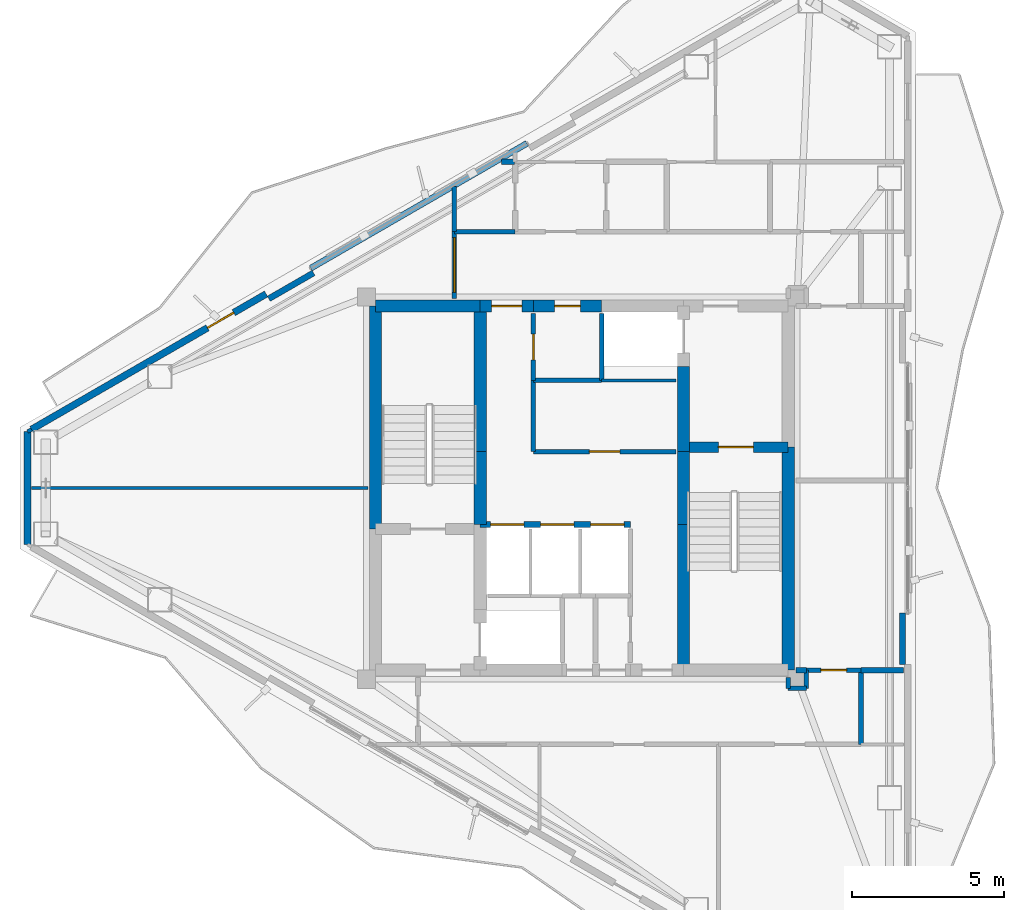
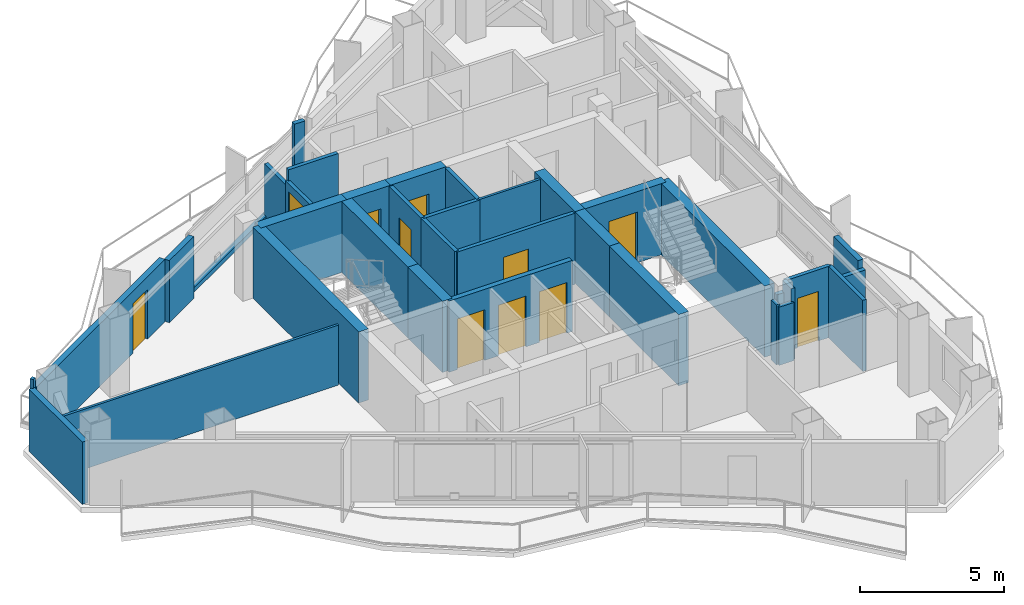
# One storey, part 15 of 18: 36 walls, 11 doors, 11 openings.
"""IFC4 building model written with IfcOpenShell, lengths in metres."""

from ifc_helpers import new_model, si_unit, direction, frame, frame_2d, origin, place, context, subcontext, project, spatial, rectangle, extrude, material, layer, layer_set, type_object, element, fill, save


model = new_model("IFC4")

# Units and contexts
model_context = context("Model", 3, precision=1e-05, world=origin(), true_north=direction((0.0, 1.0)))
body_context = subcontext(model_context, "Body", "Model", "MODEL_VIEW")
ifc_project = project(units=[si_unit("LENGTHUNIT", "METRE"), si_unit("AREAUNIT", "SQUARE_METRE"), si_unit("VOLUMEUNIT", "CUBIC_METRE"), si_unit("PLANEANGLEUNIT", "RADIAN"), si_unit("MASSUNIT", "GRAM", prefix="KILO")], contexts=[model_context])

# Site, building, storey
site_placement = place(None, origin())
site = spatial("IfcSite", under=ifc_project, at=site_placement, CompositionType="ELEMENT")
building_placement = place(site_placement, origin())
building = spatial("IfcBuilding", under=site, at=building_placement, Name="Mersakhor Tower and Convention Hall", CompositionType="ELEMENT")
storey_placement = place(building_placement, frame((0.0, 0.0, 246.300048828125)))
storey = spatial("IfcBuildingStorey", under=building, at=storey_placement, Name="L69", CompositionType="ELEMENT", Elevation=246.300048828125)

# Wall
ifc_material_1 = material(Name="Precast concrete C40/50", Category="concrete")
ifc_layer_1 = layer(ifc_material_1, 0.22509765625)
ifc_layer_set_1 = layer_set([ifc_layer_1], Name="Precast concrete C40/50")
wall_type_1 = type_object("IfcWallType", Name="WL-EXT-225", PredefinedType="SOLIDWALL", material=ifc_layer_set_1)
wall_1_placement = place(storey_placement, frame((10.73193359375, 24.892333984375, 0.0), z_axis=(0.0, 0.0, 1.0), x_axis=(0.0, 1.0, 0.0)))
element("IfcWall", 1, at=wall_1_placement, inside=storey, type_object=wall_type_1, Name="L69 Chamfer Braced Spandrel Wall C3", PredefinedType="SOLIDWALL", context=body_context, shape_type="SweptSolid", body=[
    extrude(rectangle(XDim=3.71533203125, YDim=0.22509765625, at=frame_2d((1.857666015625, 0.0))), origin(), (0.0, 0.0, 1.0), 2.639892578125),
])

# Wall, opening, door
wall_2_placement = place(storey_placement, frame((10.86181640625, 28.6826171875, 0.0), z_axis=(0.0, 0.0, 1.0), x_axis=(0.866026655105, 0.499997832642, 0.0)))
wall_2 = element("IfcWall", 2, at=wall_2_placement, inside=storey, type_object=wall_type_1, Name="L69 Exterior Facade Wall F1-B1", PredefinedType="SOLIDWALL", context=body_context, shape_type="SweptSolid", body=[
    extrude(rectangle(XDim=8.927734375, YDim=0.22509765625, at=frame_2d((4.4638671875, 0.0))), origin(), (0.0, 0.0, 1.0), 2.639892578125),
])
opening_1_placement = place(wall_2_placement, frame((6.696044921875, 0.0, 0.0)))
opening_1 = element("IfcOpeningElement", 3, at=opening_1_placement, cuts=wall_2, Name="Opening BD-01", PredefinedType="OPENING", context=body_context, shape_type="SweptSolid", body=[
    extrude(rectangle(XDim=1.0, YDim=2.10009765625, at=frame_2d((0.5, 1.050048828125))), frame((0.0, 0.12255859375, 0.0), z_axis=(0.0, -1.0, 0.0), x_axis=(1.0, 0.0, 0.0)), (0.0, 0.0, 1.0), 0.2451171875),
])
ifc_material_2 = material(Name="Thermally broken dark aluminium and safety glass", Category="aluminium")
door_type_1 = type_object("IfcDoorType", Name="DR-BAL-100x210", OperationType="NOTDEFINED", PredefinedType="DOOR", material=ifc_material_2)
door_1_placement = place(opening_1_placement, origin())
door_1 = element("IfcDoor", 4, at=door_1_placement, inside=storey, type_object=door_type_1, Name="L69 Balcony Terrace Door F1-B1", OperationType="SINGLE_SWING_LEFT", OverallHeight=2.10009765625, OverallWidth=1.0, PredefinedType="DOOR", context=body_context, shape_type="SweptSolid", body=[
    extrude(rectangle(XDim=1.0, YDim=2.10009765625, at=frame_2d((0.5, 1.050048828125))), frame((0.0, 0.02490234375, 0.0), z_axis=(0.0, -1.0, 0.0), x_axis=(1.0, 0.0, 0.0)), (0.0, 0.0, 1.0), 0.050048828125),
])
fill(opening_1, door_1)

# Walls
ifc_material_3 = material(Name="Precast concrete C40/50", Category="concrete")
ifc_layer_2 = layer(ifc_material_3, 0.199951171875)
ifc_layer_set_2 = layer_set([ifc_layer_2], Name="Precast concrete C40/50")
wall_type_2 = type_object("IfcWallType", Name="WL-PAR-200", PredefinedType="PARAPET", material=ifc_layer_set_2)
wall_3_placement = place(storey_placement, frame((20.06591796875, 33.99658203125, 0.0), z_axis=(0.0, 0.0, 1.0), x_axis=(0.866019557082, 0.500010126649, 0.0)))
element("IfcWall", 5, at=wall_3_placement, inside=storey, type_object=wall_type_2, Name="L69 Curtain Wall Upstand Sill F1-B2", PredefinedType="PARAPET", context=body_context, shape_type="SweptSolid", body=[
    extrude(rectangle(XDim=8.227783203125, YDim=0.199951171875, at=frame_2d((4.11376953125, 0.0))), origin(), (0.0, 0.0, 1.0), 0.199951171875),
])
wall_4_placement = place(storey_placement, frame((18.68359375, 32.99072265625, 0.0), z_axis=(0.0, 0.0, 1.0), x_axis=(0.866025371046, 0.500000056704, 0.0)))
element("IfcWall", 6, at=wall_4_placement, inside=storey, type_object=wall_type_2, Name="L69 Column Pier Cladding Wall F1-C1", PredefinedType="PARAPET", context=body_context, shape_type="SweptSolid", body=[
    extrude(rectangle(XDim=1.7001953125, YDim=0.199951171875, at=frame_2d((0.85009765625, 0.0))), origin(), (0.0, 0.0, 1.0), 2.639892578125),
])
wall_5_placement = place(storey_placement, frame((39.562744140625, 22.635986328125, 0.0), z_axis=(0.0, 0.0, 1.0), x_axis=(0.0, -1.0, 0.0)))
element("IfcWall", 7, at=wall_5_placement, inside=storey, type_object=wall_type_2, Name="L69 Column Pier Cladding Wall F2-C2", PredefinedType="PARAPET", context=body_context, shape_type="SweptSolid", body=[
    extrude(rectangle(XDim=1.699951171875, YDim=0.199951171875, at=frame_2d((0.85009765625, 0.0))), origin(), (0.0, 0.0, 1.0), 2.639892578125),
])
ifc_material_4 = material(Name="Moisture-resistant acoustic drywall studwork", Category="other")
ifc_layer_3 = layer(ifc_material_4, 0.175048828125)
ifc_layer_set_3 = layer_set([ifc_layer_3], Name="Moisture-resistant acoustic drywall studwork")
wall_type_3 = type_object("IfcWallType", Name="WL-PLM-175", PredefinedType="PLUMBINGWALL", material=ifc_layer_set_3)
wall_6_placement = place(storey_placement, frame((39.606201171875, 20.75, 0.0), z_axis=(0.0, 0.0, 1.0), x_axis=(-1.0, 0.0, 0.0)))
element("IfcWall", 8, at=wall_6_placement, inside=storey, type_object=wall_type_3, Name="L69 Interior Partition Wall P-042", PredefinedType="PLUMBINGWALL", context=body_context, shape_type="SweptSolid", body=[
    extrude(rectangle(XDim=1.40625, YDim=0.175048828125, at=frame_2d((0.703125, 0.0))), origin(), (0.0, 0.0, 1.0), 2.364990234375),
])
wall_7_placement = place(storey_placement, frame((36.39990234375, 20.75, 0.0), z_axis=(0.0, 0.0, 1.0), x_axis=(-1.0, 0.0, 0.0)))
element("IfcWall", 9, at=wall_7_placement, inside=storey, type_object=wall_type_3, Name="L69 Interior Partition Wall P-043", PredefinedType="PLUMBINGWALL", context=body_context, shape_type="SweptSolid", body=[
    extrude(rectangle(XDim=0.349853515625, YDim=0.175048828125, at=frame_2d((0.1748046875, 0.0))), origin(), (0.0, 0.0, 1.0), 2.544921875),
])
wall_8_placement = place(storey_placement, frame((26.356689453125, 37.5, 0.0), z_axis=(0.0, 0.0, 1.0), x_axis=(1.0, 0.0, 0.0)))
element("IfcWall", 10, at=wall_8_placement, inside=storey, type_object=wall_type_3, Name="L69 Interior Partition Wall P-045", PredefinedType="PLUMBINGWALL", context=body_context, shape_type="SweptSolid", body=[
    extrude(rectangle(XDim=0.42822265625, YDim=0.175048828125, at=frame_2d((0.214111328125, 0.0))), origin(), (0.0, 0.0, 1.0), 3.02001953125),
])
ifc_material_5 = material(Name="Lightweight gypsum partition", Category="other")
ifc_layer_4 = layer(ifc_material_5, 0.10009765625)
ifc_layer_set_4 = layer_set([ifc_layer_4], Name="Lightweight gypsum partition")
wall_type_4 = type_object("IfcWallType", Name="WL-PRT-100", PredefinedType="PARTITIONING", material=ifc_layer_set_4)
wall_9_placement = place(storey_placement, frame((32.10009765625, 30.300048828125, 0.0), z_axis=(0.0, 0.0, 1.0), x_axis=(-1.0, 0.0, 0.0)))
element("IfcWall", 11, at=wall_9_placement, inside=storey, type_object=wall_type_4, Name="L69 Interior Partition Wall P-004", PredefinedType="PARTITIONING", context=body_context, shape_type="SweptSolid", body=[
    extrude(rectangle(XDim=2.4501953125, YDim=0.10009765625, at=frame_2d((1.22509765625, 0.0))), origin(), (0.0, 0.0, 1.0), 3.02001953125),
])
wall_10_placement = place(storey_placement, frame((21.949951171875, 26.75, 0.0), z_axis=(0.0, 0.0, 1.0), x_axis=(-1.0, 0.0, 0.0)))
element("IfcWall", 12, at=wall_10_placement, inside=storey, type_object=wall_type_4, Name="L69 Interior Partition Wall P-060", PredefinedType="PARTITIONING", context=body_context, shape_type="SweptSolid", body=[
    extrude(rectangle(XDim=11.08154296875, YDim=0.10009765625, at=frame_2d((5.540771484375, 0.0))), origin(), (0.0, 0.0, 1.0), 2.544921875),
])
ifc_material_6 = material(Name="Gypsum board acoustic partition", Category="other")
ifc_layer_5 = layer(ifc_material_6, 0.125)
ifc_layer_set_5 = layer_set([ifc_layer_5], Name="Gypsum board acoustic partition")
wall_type_5 = type_object("IfcWallType", Name="WL-PRT-125", PredefinedType="PARTITIONING", material=ifc_layer_set_5)
wall_11_placement = place(storey_placement, frame((10.73193359375, 28.60791015625, 0.0), z_axis=(0.0, 0.0, 1.0), x_axis=(0.866131372301, 0.499816412211, 0.0)))
element("IfcWall", 13, at=wall_11_placement, inside=storey, type_object=wall_type_5, Name="L69 Interior Partition Wall P-061", PredefinedType="PARTITIONING", context=body_context, shape_type="SweptSolid", body=[
    extrude(rectangle(XDim=0.14990234375, YDim=0.125, at=frame_2d((0.074951171875, 0.0))), origin(), (0.0, 0.0, 1.0), 3.02001953125),
])
ifc_material_7 = material(Name="Fire-rated gypsum board stud partition", Category="other")
ifc_layer_6 = layer(ifc_material_7, 0.14990234375)
ifc_layer_set_6 = layer_set([ifc_layer_6], Name="Fire-rated gypsum board stud partition")
wall_type_6 = type_object("IfcWallType", Name="WL-PRT-150", PredefinedType="PARTITIONING", material=ifc_layer_set_6)
wall_12_placement = place(storey_placement, frame((29.64990234375, 30.300048828125, 0.0), z_axis=(0.0, 0.0, 1.0), x_axis=(0.0, 1.0, 0.0)))
element("IfcWall", 14, at=wall_12_placement, inside=storey, type_object=wall_type_6, Name="L69 Interior Partition Wall P-005", PredefinedType="PARTITIONING", context=body_context, shape_type="SweptSolid", body=[
    extrude(rectangle(XDim=2.199951171875, YDim=0.14990234375, at=frame_2d((1.10009765625, 0.0))), origin(), (0.0, 0.0, 1.0), 3.02001953125),
])

# Wall, opening, door
wall_13_placement = place(storey_placement, frame((27.39990234375, 32.5, 0.0), z_axis=(0.0, 0.0, 1.0), x_axis=(0.0, -1.0, 0.0)))
wall_13 = element("IfcWall", 15, at=wall_13_placement, inside=storey, type_object=wall_type_6, Name="L69 Interior Partition Wall P-013", PredefinedType="PARTITIONING", context=body_context, shape_type="SweptSolid", body=[
    extrude(rectangle(XDim=2.199951171875, YDim=0.14990234375, at=frame_2d((1.10009765625, 0.0))), origin(), (0.0, 0.0, 1.0), 3.02001953125),
])
opening_2_placement = place(wall_13_placement, frame((0.675048828125, 0.0, 0.0)))
opening_2 = element("IfcOpeningElement", 16, at=opening_2_placement, cuts=wall_13, Name="Opening SVD-01", PredefinedType="OPENING", context=body_context, shape_type="SweptSolid", body=[
    extrude(rectangle(XDim=0.85009765625, YDim=2.10009765625, at=frame_2d((0.425048828125, 1.050048828125))), frame((0.0, 0.0849609375, 0.0), z_axis=(0.0, -1.0, 0.0), x_axis=(1.0, 0.0, 0.0)), (0.0, 0.0, 1.0), 0.169921875),
])
ifc_material_8 = material(Name="Fire-rated hardwood leaf and painted steel frame", Category="steel")
door_type_2 = type_object("IfcDoorType", Name="DR-INT-SVC-085x210", OperationType="NOTDEFINED", PredefinedType="DOOR", material=ifc_material_8)
door_2_placement = place(opening_2_placement, origin())
door_2 = element("IfcDoor", 17, at=door_2_placement, inside=storey, type_object=door_type_2, Name="L69 Central Passenger Lift Lobby to High-Zone Telecoms Room Door", OperationType="SINGLE_SWING_LEFT", OverallHeight=2.10009765625, OverallWidth=0.85009765625, PredefinedType="DOOR", context=body_context, shape_type="SweptSolid", body=[
    extrude(rectangle(XDim=0.85009765625, YDim=2.10009765625, at=frame_2d((0.425048828125, 1.050048828125))), frame((0.0, 0.02490234375, 0.0), z_axis=(0.0, -1.0, 0.0), x_axis=(1.0, 0.0, 0.0)), (0.0, 0.0, 1.0), 0.050048828125),
])
fill(opening_2, door_2)

# Wall
wall_14_placement = place(storey_placement, frame((27.39990234375, 30.300048828125, 0.0), z_axis=(0.0, 0.0, 1.0), x_axis=(0.0, -1.0, 0.0)))
element("IfcWall", 18, at=wall_14_placement, inside=storey, type_object=wall_type_6, Name="L69 Interior Partition Wall P-014", PredefinedType="PARTITIONING", context=body_context, shape_type="SweptSolid", body=[
    extrude(rectangle(XDim=2.35009765625, YDim=0.14990234375, at=frame_2d((1.175048828125, 0.0))), origin(), (0.0, 0.0, 1.0), 3.02001953125),
])

# Wall, opening, door
wall_15_placement = place(storey_placement, frame((27.39990234375, 27.949951171875, 0.0), z_axis=(0.0, 0.0, 1.0), x_axis=(1.0, 0.0, 0.0)))
wall_15 = element("IfcWall", 19, at=wall_15_placement, inside=storey, type_object=wall_type_6, Name="L69 Interior Partition Wall P-015", PredefinedType="PARTITIONING", context=body_context, shape_type="SweptSolid", body=[
    extrude(rectangle(XDim=4.7001953125, YDim=0.14990234375, at=frame_2d((2.35009765625, 0.0))), origin(), (0.0, 0.0, 1.0), 3.02001953125),
])
opening_3_placement = place(wall_15_placement, frame((1.85009765625, 0.0, 0.0)))
opening_3 = element("IfcOpeningElement", 20, at=opening_3_placement, cuts=wall_15, Name="Opening FD-01", PredefinedType="OPENING", context=body_context, shape_type="SweptSolid", body=[
    extrude(rectangle(XDim=1.0, YDim=2.14990234375, at=frame_2d((0.5, 1.074951171875))), frame((0.0, 0.0849609375, 0.0), z_axis=(0.0, -1.0, 0.0), x_axis=(1.0, 0.0, 0.0)), (0.0, 0.0, 1.0), 0.169921875),
])
ifc_material_9 = material(Name="Fire-rated hardwood leaf and painted steel frame", Category="steel")
door_type_3 = type_object("IfcDoorType", Name="DR-INT-FLT-100x215", OperationType="NOTDEFINED", PredefinedType="DOOR", material=ifc_material_9)
door_3_placement = place(opening_3_placement, origin())
door_3 = element("IfcDoor", 21, at=door_3_placement, inside=storey, type_object=door_type_3, Name="L69 Central Passenger Lift Lobby to Shared Floor Tea Pantry Door", OperationType="SINGLE_SWING_RIGHT", OverallHeight=2.14990234375, OverallWidth=1.0, PredefinedType="DOOR", context=body_context, shape_type="SweptSolid", body=[
    extrude(rectangle(XDim=1.0, YDim=2.14990234375, at=frame_2d((0.5, 1.074951171875))), frame((0.0, 0.02490234375, 0.0), z_axis=(0.0, -1.0, 0.0), x_axis=(1.0, 0.0, 0.0)), (0.0, 0.0, 1.0), 0.050048828125),
])
fill(opening_3, door_3)

# Wall
wall_16_placement = place(storey_placement, frame((24.800048828125, 35.199951171875, 0.0), z_axis=(0.0, 0.0, 1.0), x_axis=(1.0, 0.0, 0.0)))
element("IfcWall", 22, at=wall_16_placement, inside=storey, type_object=wall_type_6, Name="L69 Interior Partition Wall P-016", PredefinedType="PARTITIONING", context=body_context, shape_type="SweptSolid", body=[
    extrude(rectangle(XDim=2.0, YDim=0.14990234375, at=frame_2d((1.0, 0.0))), origin(), (0.0, 0.0, 1.0), 3.02001953125),
])

# Wall, opening, door
wall_17_placement = place(storey_placement, frame((24.800048828125, 33.0, 0.0), z_axis=(0.0, 0.0, 1.0), x_axis=(0.0, 1.0, 0.0)))
wall_17 = element("IfcWall", 23, at=wall_17_placement, inside=storey, type_object=wall_type_6, Name="L69 Interior Partition Wall P-026", PredefinedType="PARTITIONING", context=body_context, shape_type="SweptSolid", body=[
    extrude(rectangle(XDim=2.199951171875, YDim=0.14990234375, at=frame_2d((1.10009765625, 0.0))), origin(), (0.0, 0.0, 1.0), 2.544921875),
])
opening_4_placement = place(wall_17_placement, frame((0.199951171875, 0.0, 0.0)))
opening_4 = element("IfcOpeningElement", 24, at=opening_4_placement, cuts=wall_17, Name="Opening HD-01", PredefinedType="OPENING", context=body_context, shape_type="SweptSolid", body=[
    extrude(rectangle(XDim=1.800048828125, YDim=2.199951171875, at=frame_2d((0.89990234375, 1.10009765625))), frame((0.0, 0.0849609375, 0.0), z_axis=(0.0, -1.0, 0.0), x_axis=(1.0, 0.0, 0.0)), (0.0, 0.0, 1.0), 0.169921875),
])
ifc_material_10 = material(Name="Fire-rated hardwood leaf and painted steel frame", Category="steel")
door_type_4 = type_object("IfcDoorType", Name="DR-INT-HALL-180x220", OperationType="NOTDEFINED", PredefinedType="DOOR", material=ifc_material_10)
door_4_placement = place(opening_4_placement, origin())
door_4 = element("IfcDoor", 25, at=door_4_placement, inside=storey, type_object=door_type_4, Name="L69 Residential North Gallery Corridor to L69 West Crown Residents Meeting Room Door", OperationType="DOUBLE_DOOR_SINGLE_SWING", OverallHeight=2.199951171875, OverallWidth=1.800048828125, PredefinedType="DOOR", context=body_context, shape_type="SweptSolid", body=[
    extrude(rectangle(XDim=1.800048828125, YDim=2.199951171875, at=frame_2d((0.89990234375, 1.10009765625))), frame((0.0, 0.02490234375, 0.0), z_axis=(0.0, -1.0, 0.0), x_axis=(1.0, 0.0, 0.0)), (0.0, 0.0, 1.0), 0.050048828125),
])
fill(opening_4, door_4)

# Walls
wall_18_placement = place(storey_placement, frame((35.800048828125, 20.14990234375, 0.0), z_axis=(0.0, 0.0, 1.0), x_axis=(1.0, 0.0, 0.0)))
element("IfcWall", 26, at=wall_18_placement, inside=storey, type_object=wall_type_6, Name="L69 Interior Partition Wall P-027", PredefinedType="PARTITIONING", context=body_context, shape_type="SweptSolid", body=[
    extrude(rectangle(XDim=0.599853515625, YDim=0.14990234375, at=frame_2d((0.2998046875, 0.0))), origin(), (0.0, 0.0, 1.0), 2.46826171875),
])
wall_19_placement = place(storey_placement, frame((36.39990234375, 20.14990234375, 0.0), z_axis=(0.0, 0.0, 1.0), x_axis=(0.0, 1.0, 0.0)))
element("IfcWall", 27, at=wall_19_placement, inside=storey, type_object=wall_type_6, Name="L69 Interior Partition Wall P-028", PredefinedType="PARTITIONING", context=body_context, shape_type="SweptSolid", body=[
    extrude(rectangle(XDim=0.60009765625, YDim=0.14990234375, at=frame_2d((0.300048828125, 0.0))), origin(), (0.0, 0.0, 1.0), 3.02001953125),
])

# Wall, opening, door
wall_20_placement = place(storey_placement, frame((36.39990234375, 20.75, 0.0), z_axis=(0.0, 0.0, 1.0), x_axis=(1.0, 0.0, 0.0)))
wall_20 = element("IfcWall", 28, at=wall_20_placement, inside=storey, type_object=wall_type_6, Name="L69 Interior Partition Wall P-029", PredefinedType="PARTITIONING", context=body_context, shape_type="SweptSolid", body=[
    extrude(rectangle(XDim=1.800048828125, YDim=0.14990234375, at=frame_2d((0.89990234375, 0.0))), origin(), (0.0, 0.0, 1.0), 3.02001953125),
])
opening_5_placement = place(wall_20_placement, frame((0.47509765625, 0.0, 0.0)))
opening_5 = element("IfcOpeningElement", 29, at=opening_5_placement, cuts=wall_20, Name="Opening SVD-01", PredefinedType="OPENING", context=body_context, shape_type="SweptSolid", body=[
    extrude(rectangle(XDim=0.85009765625, YDim=2.10009765625, at=frame_2d((0.425048828125, 1.050048828125))), frame((0.0, 0.0849609375, 0.0), z_axis=(0.0, -1.0, 0.0), x_axis=(1.0, 0.0, 0.0)), (0.0, 0.0, 1.0), 0.169921875),
])
door_5_placement = place(opening_5_placement, origin())
door_5 = element("IfcDoor", 30, at=door_5_placement, inside=storey, type_object=door_type_2, Name="L69 Residential South Gallery Corridor to L69 East Crown Accessible Toilet WC Door", OperationType="SINGLE_SWING_RIGHT", OverallHeight=2.10009765625, OverallWidth=0.85009765625, PredefinedType="DOOR", context=body_context, shape_type="SweptSolid", body=[
    extrude(rectangle(XDim=0.85009765625, YDim=2.10009765625, at=frame_2d((0.425048828125, 1.050048828125))), frame((0.0, 0.02490234375, 0.0), z_axis=(0.0, -1.0, 0.0), x_axis=(1.0, 0.0, 0.0)), (0.0, 0.0, 1.0), 0.050048828125),
])
fill(opening_5, door_5)

# Walls
wall_21_placement = place(storey_placement, frame((38.199951171875, 20.75, 0.0), z_axis=(0.0, 0.0, 1.0), x_axis=(0.0, -1.0, 0.0)))
element("IfcWall", 31, at=wall_21_placement, inside=storey, type_object=wall_type_6, Name="L69 Interior Partition Wall P-030", PredefinedType="PARTITIONING", context=body_context, shape_type="SweptSolid", body=[
    extrude(rectangle(XDim=2.449951171875, YDim=0.14990234375, at=frame_2d((1.22509765625, 0.0))), origin(), (0.0, 0.0, 1.0), 3.02001953125),
])
wall_22_placement = place(storey_placement, frame((35.800048828125, 20.5, 0.0), z_axis=(0.0, 0.0, 1.0), x_axis=(0.0, -1.0, 0.0)))
element("IfcWall", 32, at=wall_22_placement, inside=storey, type_object=wall_type_6, Name="L69 Interior Partition Wall P-035", PredefinedType="PARTITIONING", context=body_context, shape_type="SweptSolid", body=[
    extrude(rectangle(XDim=0.35009765625, YDim=0.14990234375, at=frame_2d((0.175048828125, 0.0))), origin(), (0.0, 0.0, 1.0), 2.544921875),
])
wall_23_placement = place(storey_placement, frame((24.800048828125, 35.199951171875, 0.0), z_axis=(0.0, 0.0, 1.0), x_axis=(0.0, 1.0, 0.0)))
element("IfcWall", 33, at=wall_23_placement, inside=storey, type_object=wall_type_6, Name="L69 Interior Partition Wall P-044", PredefinedType="PARTITIONING", context=body_context, shape_type="SweptSolid", body=[
    extrude(rectangle(XDim=1.483642578125, YDim=0.14990234375, at=frame_2d((0.74169921875, 0.0))), origin(), (0.0, 0.0, 1.0), 2.364990234375),
])
wall_24_placement = place(storey_placement, frame((27.39990234375, 30.300048828125, 0.0), z_axis=(0.0, 0.0, 1.0), x_axis=(1.0, 0.0, 0.0)))
element("IfcWall", 34, at=wall_24_placement, inside=storey, type_object=wall_type_6, Name="L69 Interior Partition Wall P-051", PredefinedType="PARTITIONING", context=body_context, shape_type="SweptSolid", body=[
    extrude(rectangle(XDim=2.25, YDim=0.14990234375, at=frame_2d((1.125, 0.0))), origin(), (0.0, 0.0, 1.0), 3.02001953125),
])

# Wall, openings, doors
ifc_material_11 = material(Name="Acoustic concrete blockwork and gypsum board", Category="masonry")
ifc_layer_7 = layer(ifc_material_11, 0.199951171875)
ifc_layer_set_7 = layer_set([ifc_layer_7], Name="Acoustic concrete blockwork and gypsum board")
wall_type_7 = type_object("IfcWallType", Name="WL-PRT-200", PredefinedType="PARTITIONING", material=ifc_layer_set_7)
wall_25_placement = place(storey_placement, frame((25.64990234375, 25.550048828125, 0.0), z_axis=(0.0, 0.0, 1.0), x_axis=(1.0, 0.0, 0.0)))
wall_25 = element("IfcWall", 35, at=wall_25_placement, inside=storey, type_object=wall_type_7, Name="L69 High-Rise Lift Bank Front Wall", PredefinedType="PARTITIONING", context=body_context, shape_type="SweptSolid", body=[
    extrude(rectangle(XDim=4.9501953125, YDim=0.199951171875, at=frame_2d((2.47509765625, 0.0))), origin(), (0.0, 0.0, 1.0), 3.02001953125),
])
opening_6_placement = place(wall_25_placement, frame((0.340087890625, 0.0, 0.0)))
opening_6 = element("IfcOpeningElement", 36, at=opening_6_placement, cuts=wall_25, Name="Opening LD-P4", PredefinedType="OPENING", context=body_context, shape_type="SweptSolid", body=[
    extrude(rectangle(XDim=1.10009765625, YDim=2.14990234375, at=frame_2d((0.550048828125, 1.074951171875))), frame((0.0, 0.10986328125, 0.0), z_axis=(0.0, -1.0, 0.0), x_axis=(1.0, 0.0, 0.0)), (0.0, 0.0, 1.0), 0.219970703125),
])
opening_7_placement = place(wall_25_placement, frame((1.989990234375, 0.0, 0.0)))
opening_7 = element("IfcOpeningElement", 37, at=opening_7_placement, cuts=wall_25, Name="Opening LD-P5", PredefinedType="OPENING", context=body_context, shape_type="SweptSolid", body=[
    extrude(rectangle(XDim=1.10009765625, YDim=2.14990234375, at=frame_2d((0.550048828125, 1.074951171875))), frame((0.0, 0.10986328125, 0.0), z_axis=(0.0, -1.0, 0.0), x_axis=(1.0, 0.0, 0.0)), (0.0, 0.0, 1.0), 0.219970703125),
])
opening_8_placement = place(wall_25_placement, frame((3.639892578125, 0.0, 0.0)))
opening_8 = element("IfcOpeningElement", 38, at=opening_8_placement, cuts=wall_25, Name="Opening LD-P6", PredefinedType="OPENING", context=body_context, shape_type="SweptSolid", body=[
    extrude(rectangle(XDim=1.10009765625, YDim=2.14990234375, at=frame_2d((0.550048828125, 1.074951171875))), frame((0.0, 0.10986328125, 0.0), z_axis=(0.0, -1.0, 0.0), x_axis=(1.0, 0.0, 0.0)), (0.0, 0.0, 1.0), 0.219970703125),
])
ifc_material_12 = material(Name="Fire-rated brushed stainless steel sliding landing door", Category="steel")
door_type_5 = type_object("IfcDoorType", Name="DR-LIFT-SLD-110x215", OperationType="NOTDEFINED", PredefinedType="DOOR", material=ifc_material_12)
door_6_placement = place(opening_6_placement, origin())
door_6 = element("IfcDoor", 39, at=door_6_placement, inside=storey, type_object=door_type_5, Name="L69 Lift Landing Door LD-P4", OperationType="SLIDING_TO_LEFT", OverallHeight=2.14990234375, OverallWidth=1.10009765625, PredefinedType="DOOR", context=body_context, shape_type="SweptSolid", body=[
    extrude(rectangle(XDim=1.10009765625, YDim=2.14990234375, at=frame_2d((0.550048828125, 1.074951171875))), frame((0.0, 0.02490234375, 0.0), z_axis=(0.0, -1.0, 0.0), x_axis=(1.0, 0.0, 0.0)), (0.0, 0.0, 1.0), 0.050048828125),
])
fill(opening_6, door_6)
door_7_placement = place(opening_7_placement, origin())
door_7 = element("IfcDoor", 40, at=door_7_placement, inside=storey, type_object=door_type_5, Name="L69 Lift Landing Door LD-P5", OperationType="SLIDING_TO_LEFT", OverallHeight=2.14990234375, OverallWidth=1.10009765625, PredefinedType="DOOR", context=body_context, shape_type="SweptSolid", body=[
    extrude(rectangle(XDim=1.10009765625, YDim=2.14990234375, at=frame_2d((0.550048828125, 1.074951171875))), frame((0.0, 0.02490234375, 0.0), z_axis=(0.0, -1.0, 0.0), x_axis=(1.0, 0.0, 0.0)), (0.0, 0.0, 1.0), 0.050048828125),
])
fill(opening_7, door_7)
door_8_placement = place(opening_8_placement, origin())
door_8 = element("IfcDoor", 41, at=door_8_placement, inside=storey, type_object=door_type_5, Name="L69 Lift Landing Door LD-P6", OperationType="SLIDING_TO_LEFT", OverallHeight=2.14990234375, OverallWidth=1.10009765625, PredefinedType="DOOR", context=body_context, shape_type="SweptSolid", body=[
    extrude(rectangle(XDim=1.10009765625, YDim=2.14990234375, at=frame_2d((0.550048828125, 1.074951171875))), frame((0.0, 0.02490234375, 0.0), z_axis=(0.0, -1.0, 0.0), x_axis=(1.0, 0.0, 0.0)), (0.0, 0.0, 1.0), 0.050048828125),
])
fill(opening_8, door_8)

# Wall, opening, door
ifc_material_13 = material(Name="Concrete C50/60", Category="concrete")
ifc_layer_8 = layer(ifc_material_13, 0.35009765625)
ifc_layer_set_8 = layer_set([ifc_layer_8], Name="Concrete C50/60")
wall_type_8 = type_object("IfcWallType", Name="WL-SHR-350", PredefinedType="SHEAR", material=ifc_layer_set_8)
wall_26_placement = place(storey_placement, frame((32.35009765625, 28.10009765625, 0.0), z_axis=(0.0, 0.0, 1.0), x_axis=(1.0, 0.0, 0.0)))
wall_26 = element("IfcWall", 42, at=wall_26_placement, inside=storey, type_object=wall_type_8, Name="L69 Core Wall CS-ST2-N", PredefinedType="SHEAR", context=body_context, shape_type="SweptSolid", body=[
    extrude(rectangle(XDim=3.449951171875, YDim=0.35009765625, at=frame_2d((1.72509765625, 0.0))), origin(), (0.0, 0.0, 1.0), 3.02001953125),
])
opening_9_placement = place(wall_26_placement, frame((1.14990234375, 0.0, 0.0)))
opening_9 = element("IfcOpeningElement", 43, at=opening_9_placement, cuts=wall_26, Name="Opening SD-01", PredefinedType="OPENING", context=body_context, shape_type="SweptSolid", body=[
    extrude(rectangle(XDim=1.14990234375, YDim=2.14990234375, at=frame_2d((0.574951171875, 1.074951171875))), frame((0.0, 0.18505859375, 0.0), z_axis=(0.0, -1.0, 0.0), x_axis=(1.0, 0.0, 0.0)), (0.0, 0.0, 1.0), 0.3701171875),
])
ifc_material_14 = material(Name="Fire-rated hardwood leaf and painted steel frame", Category="steel")
door_type_6 = type_object("IfcDoorType", Name="DR-INT-STAIR-115x215", OperationType="NOTDEFINED", PredefinedType="DOOR", material=ifc_material_14)
door_9_placement = place(opening_9_placement, origin())
door_9 = element("IfcDoor", 44, at=door_9_placement, inside=storey, type_object=door_type_6, Name="L69 Exit Stair ST-2 Enclosure Door", OperationType="SINGLE_SWING_RIGHT", OverallHeight=2.14990234375, OverallWidth=1.14990234375, PredefinedType="DOOR", context=body_context, shape_type="SweptSolid", body=[
    extrude(rectangle(XDim=1.14990234375, YDim=2.14990234375, at=frame_2d((0.574951171875, 1.074951171875))), frame((0.0, 0.02490234375, 0.0), z_axis=(0.0, -1.0, 0.0), x_axis=(1.0, 0.0, 0.0)), (0.0, 0.0, 1.0), 0.050048828125),
])
fill(opening_9, door_9)

# Walls
ifc_material_15 = material(Name="Concrete C60/75", Category="concrete")
ifc_layer_9 = layer(ifc_material_15, 0.39990234375)
ifc_layer_set_9 = layer_set([ifc_layer_9], Name="Concrete C60/75")
wall_type_9 = type_object("IfcWallType", Name="WL-SHR-400", PredefinedType="SHEAR", material=ifc_layer_set_9)
wall_27_placement = place(storey_placement, frame((22.199951171875, 25.39990234375, 0.0), z_axis=(0.0, 0.0, 1.0), x_axis=(0.0, 1.0, 0.0)))
element("IfcWall", 45, at=wall_27_placement, inside=storey, type_object=wall_type_9, Name="L69 Core Wall CW-W2", PredefinedType="SHEAR", context=body_context, shape_type="SweptSolid", body=[
    extrude(rectangle(XDim=7.35009765625, YDim=0.39990234375, at=frame_2d((3.675048828125, 0.0))), origin(), (0.0, 0.0, 1.0), 3.02001953125),
])
wall_28_placement = place(storey_placement, frame((22.199951171875, 32.75, 0.0), z_axis=(0.0, 0.0, 1.0), x_axis=(1.0, 0.0, 0.0)))
element("IfcWall", 46, at=wall_28_placement, inside=storey, type_object=wall_type_9, Name="L69 Core Wall CW-N1", PredefinedType="SHEAR", context=body_context, shape_type="SweptSolid", body=[
    extrude(rectangle(XDim=3.449951171875, YDim=0.39990234375, at=frame_2d((1.72509765625, 0.0))), origin(), (0.0, 0.0, 1.0), 3.02001953125),
])

# Wall, opening, door
wall_29_placement = place(storey_placement, frame((25.64990234375, 32.75, 0.0), z_axis=(0.0, 0.0, 1.0), x_axis=(1.0, 0.0, 0.0)))
wall_29 = element("IfcWall", 47, at=wall_29_placement, inside=storey, type_object=wall_type_9, Name="L69 Core Wall CW-N2A", PredefinedType="SHEAR", context=body_context, shape_type="SweptSolid", body=[
    extrude(rectangle(XDim=1.75, YDim=0.39990234375, at=frame_2d((0.875, 0.0))), origin(), (0.0, 0.0, 1.0), 3.02001953125),
])
opening_10_placement = place(wall_29_placement, frame((0.375, 0.0, 0.0)))
opening_10 = element("IfcOpeningElement", 48, at=opening_10_placement, cuts=wall_29, Name="Opening CFD-01", PredefinedType="OPENING", context=body_context, shape_type="SweptSolid", body=[
    extrude(rectangle(XDim=1.0, YDim=2.14990234375, at=frame_2d((0.5, 1.074951171875))), frame((0.0, 0.2099609375, 0.0), z_axis=(0.0, -1.0, 0.0), x_axis=(1.0, 0.0, 0.0)), (0.0, 0.0, 1.0), 0.419921875),
])
ifc_material_16 = material(Name="Fire-rated hardwood leaf and painted steel frame", Category="steel")
door_type_7 = type_object("IfcDoorType", Name="DR-CORE-FD-100x215", OperationType="NOTDEFINED", PredefinedType="DOOR", material=ifc_material_16)
door_10_placement = place(opening_10_placement, origin())
door_10 = element("IfcDoor", 49, at=door_10_placement, inside=storey, type_object=door_type_7, Name="L69 Lift Lobby North Corridor Door", OperationType="SINGLE_SWING_LEFT", OverallHeight=2.14990234375, OverallWidth=1.0, PredefinedType="DOOR", context=body_context, shape_type="SweptSolid", body=[
    extrude(rectangle(XDim=1.0, YDim=2.14990234375, at=frame_2d((0.5, 1.074951171875))), frame((0.0, 0.02490234375, 0.0), z_axis=(0.0, -1.0, 0.0), x_axis=(1.0, 0.0, 0.0)), (0.0, 0.0, 1.0), 0.050048828125),
])
fill(opening_10, door_10)

wall_30_placement = place(storey_placement, frame((27.39990234375, 32.75, 0.0), z_axis=(0.0, 0.0, 1.0), x_axis=(1.0, 0.0, 0.0)))
wall_30 = element("IfcWall", 50, at=wall_30_placement, inside=storey, type_object=wall_type_9, Name="L69 Core Wall CW-N2B", PredefinedType="SHEAR", context=body_context, shape_type="SweptSolid", body=[
    extrude(rectangle(XDim=2.25, YDim=0.39990234375, at=frame_2d((1.125, 0.0))), origin(), (0.0, 0.0, 1.0), 3.02001953125),
])
opening_11_placement = place(wall_30_placement, frame((0.699951171875, 0.0, 0.0)))
opening_11 = element("IfcOpeningElement", 51, at=opening_11_placement, cuts=wall_30, Name="Opening SVD-01", PredefinedType="OPENING", context=body_context, shape_type="SweptSolid", body=[
    extrude(rectangle(XDim=0.85009765625, YDim=2.10009765625, at=frame_2d((0.425048828125, 1.050048828125))), frame((0.0, 0.2099609375, 0.0), z_axis=(0.0, -1.0, 0.0), x_axis=(1.0, 0.0, 0.0)), (0.0, 0.0, 1.0), 0.419921875),
])
door_11_placement = place(opening_11_placement, origin())
door_11 = element("IfcDoor", 52, at=door_11_placement, inside=storey, type_object=door_type_2, Name="L69 Residential North Gallery Corridor to High-Zone Telecoms Room Door", OperationType="SINGLE_SWING_LEFT", OverallHeight=2.10009765625, OverallWidth=0.85009765625, PredefinedType="DOOR", context=body_context, shape_type="SweptSolid", body=[
    extrude(rectangle(XDim=0.85009765625, YDim=2.10009765625, at=frame_2d((0.425048828125, 1.050048828125))), frame((0.0, 0.02490234375, 0.0), z_axis=(0.0, -1.0, 0.0), x_axis=(1.0, 0.0, 0.0)), (0.0, 0.0, 1.0), 0.050048828125),
])
fill(opening_11, door_11)

# Walls
wall_31_placement = place(storey_placement, frame((35.800048828125, 28.10009765625, 0.0), z_axis=(0.0, 0.0, 1.0), x_axis=(0.0, -1.0, 0.0)))
element("IfcWall", 53, at=wall_31_placement, inside=storey, type_object=wall_type_9, Name="L69 Core Wall CW-E2", PredefinedType="SHEAR", context=body_context, shape_type="SweptSolid", body=[
    extrude(rectangle(XDim=7.35009765625, YDim=0.39990234375, at=frame_2d((3.675048828125, 0.0))), origin(), (0.0, 0.0, 1.0), 3.02001953125),
])
wall_32_placement = place(storey_placement, frame((25.64990234375, 25.550048828125, 0.0), z_axis=(0.0, 0.0, 1.0), x_axis=(0.0, 1.0, 0.0)))
element("IfcWall", 54, at=wall_32_placement, inside=storey, type_object=wall_type_9, Name="L69 Core Wall CS-W-LOB", PredefinedType="SHEAR", context=body_context, shape_type="SweptSolid", body=[
    extrude(rectangle(XDim=2.39990234375, YDim=0.39990234375, at=frame_2d((1.199951171875, 0.0))), origin(), (0.0, 0.0, 1.0), 3.02001953125),
])
for number, where, z_axis, x_axis, name in (
    (55, (25.64990234375, 27.949951171875, 0.0), (0.0, 0.0, 1.0), (0.0, 1.0, 0.0), "L69 Core Wall CS-W-ST1"),
    (56, (32.35009765625, 20.75, 0.0), (0.0, 0.0, 1.0), (0.0, 1.0, 0.0), "L69 Core Wall CS-E-ST2"),
):
    element("IfcWall", number, at=place(storey_placement, frame(where, z_axis=z_axis, x_axis=x_axis)), inside=storey, type_object=wall_type_9, Name=name, PredefinedType="SHEAR", context=body_context, shape_type="SweptSolid", body=[
        extrude(rectangle(XDim=4.800048828125, YDim=0.39990234375, at=frame_2d((2.39990234375, 0.0))), origin(), (0.0, 0.0, 1.0), 3.02001953125),
    ])
wall_33_placement = place(storey_placement, frame((32.35009765625, 25.550048828125, 0.0), z_axis=(0.0, 0.0, 1.0), x_axis=(0.0, 1.0, 0.0)))
element("IfcWall", 57, at=wall_33_placement, inside=storey, type_object=wall_type_9, Name="L69 Core Wall CS-E-LOB", PredefinedType="SHEAR", context=body_context, shape_type="SweptSolid", body=[
    extrude(rectangle(XDim=2.39990234375, YDim=0.39990234375, at=frame_2d((1.199951171875, 0.0))), origin(), (0.0, 0.0, 1.0), 3.02001953125),
])
wall_34_placement = place(storey_placement, frame((32.35009765625, 27.949951171875, 0.0), z_axis=(0.0, 0.0, 1.0), x_axis=(0.0, 1.0, 0.0)))
element("IfcWall", 58, at=wall_34_placement, inside=storey, type_object=wall_type_9, Name="L69 Core Wall CS-E-MID", PredefinedType="SHEAR", context=body_context, shape_type="SweptSolid", body=[
    extrude(rectangle(XDim=2.800048828125, YDim=0.39990234375, at=frame_2d((1.39990234375, 0.0))), origin(), (0.0, 0.0, 1.0), 3.02001953125),
])

save(model, "model.ifc")
